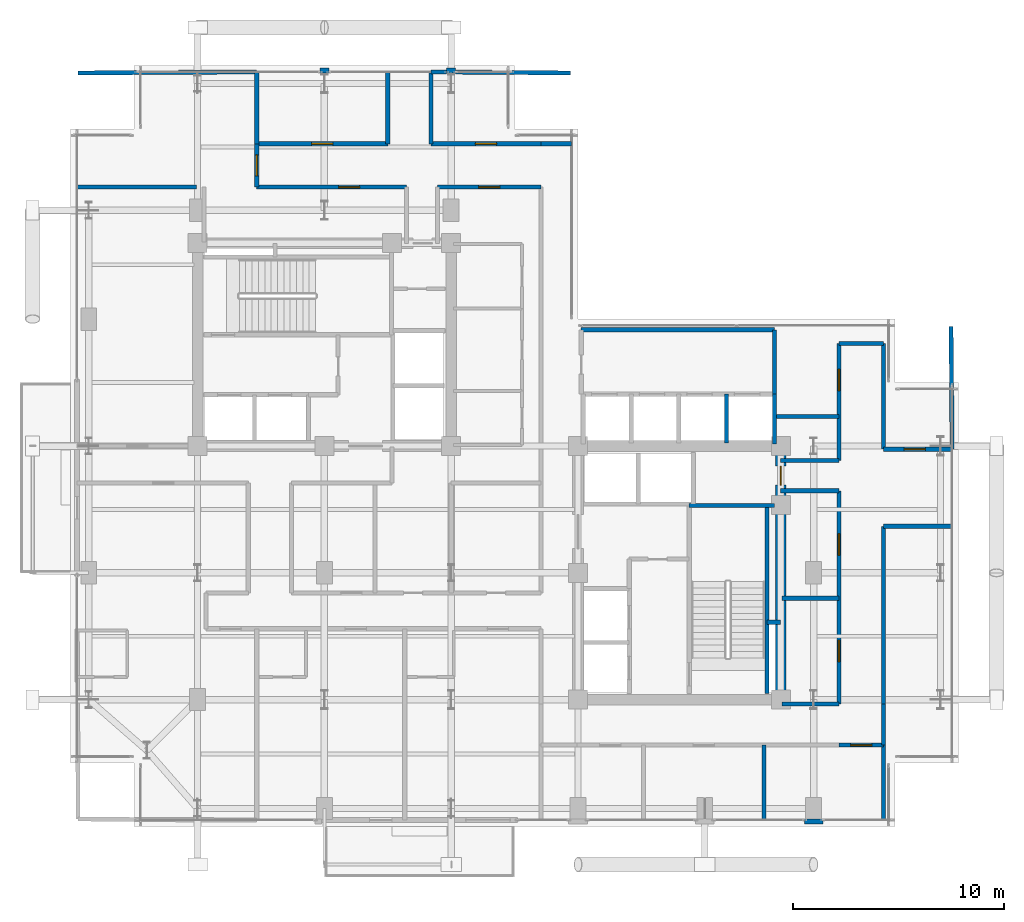
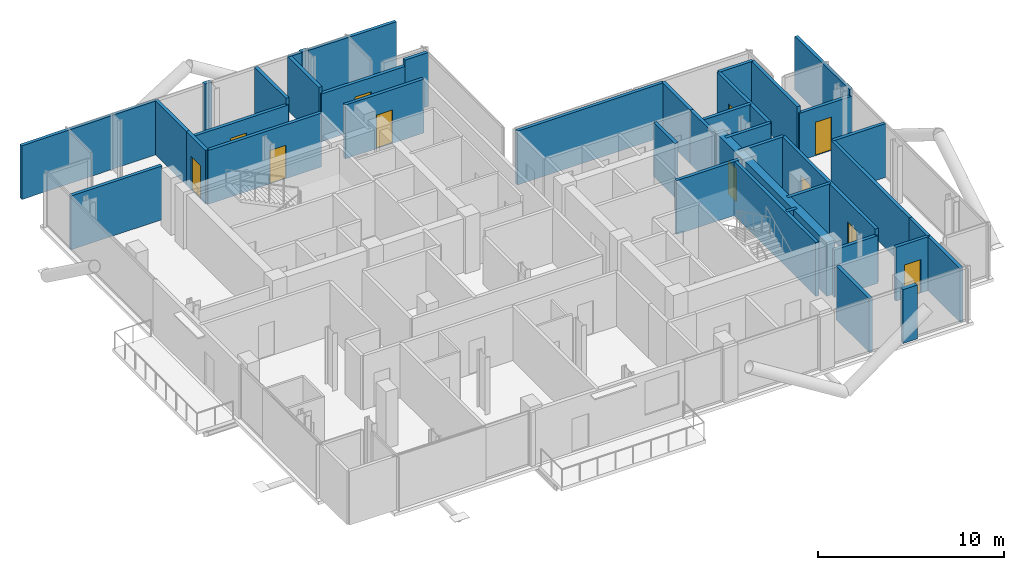
# One storey, part 19 of 22: 41 walls, 11 doors, 11 openings.
"""IFC4 building model written with IfcOpenShell, lengths in metres."""

import ifcopenshell
import ifcopenshell.guid

model = None  # the IFC model being written
_history = None  # IfcOwnerHistory: only IFC2X3 demands one
_inside = {}  # id of a spatial element -> (the spatial element, [elements in it])
_under = {}  # id of a project, library or spatial element -> (it, [spatial elements below it])
_declared = {}  # id of a project -> (the project, [libraries it declares])
_typed = {}  # id of a type object -> (the type object, [elements of that type])
_made_of = {}  # id of a material, layer set ... -> (it, [elements and type objects made of it])


def new_model(schema):
    """Start an empty IFC model of exactly this schema.

    Asked for "IFC4X3", IfcOpenShell would pick the latest addendum, in which some entities
    have other attributes; the version numbers below select the first issue.
    IFC2X3 requires an IfcOwnerHistory on every rooted entity: one is made here for all.
    """
    global model, _history
    if schema == "IFC4X3":
        model = ifcopenshell.file(schema_version=(4, 3, 0, 0))
    else:
        model = ifcopenshell.file(schema=schema)
    _inside.clear()
    _under.clear()
    _declared.clear()
    _typed.clear()
    _made_of.clear()
    _history = None
    if model.schema == "IFC2X3":
        org = make("IfcOrganization", Name="unknown")
        user = make(
            "IfcPersonAndOrganization",
            ThePerson=make("IfcPerson", FamilyName="unknown"),
            TheOrganization=org,
        )
        app = make(
            "IfcApplication",
            ApplicationDeveloper=org,
            Version="unknown",
            ApplicationFullName="unknown",
            ApplicationIdentifier="unknown",
        )
        _history = make(
            "IfcOwnerHistory",
            OwningUser=user,
            OwningApplication=app,
            ChangeAction="ADDED",
            CreationDate=0,
        )
    return model


def make(cls, **values):
    """One entity of the class cls with the attributes given. An attribute that is None is left unset."""
    return model.create_entity(
        cls, **{name: value for name, value in values.items() if value is not None}
    )


def rooted(cls, **values):
    """An entity with a GlobalId (a new one), such as an element, a storey or a relation."""
    return make(cls, GlobalId=ifcopenshell.guid.new(), OwnerHistory=_history, **values)


def si_unit(unit_type, name, prefix=None):
    """IfcSIUnit, for example si_unit("LENGTHUNIT", "METRE", prefix="MILLI")."""
    return make("IfcSIUnit", UnitType=unit_type, Prefix=prefix, Name=name)


def assignment(units):
    """IfcUnitAssignment: the units of a project."""
    return None if units is None else make("IfcUnitAssignment", Units=units)


def point(xyz):
    """IfcCartesianPoint."""
    return None if xyz is None else make("IfcCartesianPoint", Coordinates=xyz)


def direction(xyz):
    """IfcDirection."""
    return None if xyz is None else make("IfcDirection", DirectionRatios=xyz)


def frame(location, z_axis=None, x_axis=None):
    """IfcAxis2Placement3D, a coordinate frame: its origin and axes. An axis left out is left unset."""
    return make(
        "IfcAxis2Placement3D",
        Location=point(location),
        Axis=direction(z_axis),
        RefDirection=direction(x_axis),
    )


def frame_2d(location, x_axis=None):
    """IfcAxis2Placement2D, a coordinate frame in the plane: its origin and x axis."""
    return make(
        "IfcAxis2Placement2D", Location=point(location), RefDirection=direction(x_axis)
    )


def origin():
    """The frame at (0, 0, 0) with its axes left unset."""
    return frame((0.0, 0.0, 0.0))


def place(relative_to, where):
    """IfcLocalPlacement: puts the frame where relative to a parent placement (None: the world)."""
    return make(
        "IfcLocalPlacement", PlacementRelTo=relative_to, RelativePlacement=where
    )


def context(
    kind, dimensions, precision=None, world=None, true_north=None, identifier=None
):
    """IfcGeometricRepresentationContext, for example the 3D "Model" context."""
    return make(
        "IfcGeometricRepresentationContext",
        ContextIdentifier=identifier,
        ContextType=kind,
        CoordinateSpaceDimension=dimensions,
        Precision=precision,
        WorldCoordinateSystem=world,
        TrueNorth=true_north,
    )


def subcontext(parent, identifier, kind, view, scale=None):
    """IfcGeometricRepresentationSubContext, for example "Body" below "Model"."""
    return make(
        "IfcGeometricRepresentationSubContext",
        ContextIdentifier=identifier,
        ContextType=kind,
        ParentContext=parent,
        TargetScale=scale,
        TargetView=view,
    )


def project(units=None, contexts=None):
    """IfcProject with its units and contexts."""
    return rooted(
        "IfcProject",
        Name="project",
        RepresentationContexts=contexts,
        UnitsInContext=assignment(units),
    )


def spatial(cls, under=None, at=None, **own):
    """A site, building, storey or space (cls), placed at a placement, below another one or the project."""
    s = rooted(cls, ObjectPlacement=at, **own)
    if under is not None:
        _under.setdefault(under.id(), (under, []))[1].append(s)
    return s


def profile(cls, at=None, kind="AREA", **sizes):
    """A parametric profile (cls). Its sizes go by their IFC names, for example OverallWidth=200.0."""
    return make(cls, ProfileType=kind, Position=at, **sizes)


def rectangle(**sizes):
    """IfcRectangleProfileDef."""
    return profile("IfcRectangleProfileDef", **sizes)


def extrude(swept, where, along, depth):
    """IfcExtrudedAreaSolid: the profile swept, set in the frame where, extruded along a direction by depth."""
    return make(
        "IfcExtrudedAreaSolid",
        SweptArea=swept,
        Position=where,
        ExtrudedDirection=direction(along),
        Depth=depth,
    )


def shape(context_of_items, identifier, shape_type, items):
    """IfcShapeRepresentation: the items that make up one representation, for example the "Body"."""
    return make(
        "IfcShapeRepresentation",
        ContextOfItems=context_of_items,
        RepresentationIdentifier=identifier,
        RepresentationType=shape_type,
        Items=items,
    )


def material(Name=None, Category=None):
    """IfcMaterial."""
    return make("IfcMaterial", Name=Name, Category=Category)


def layer(
    of_material, thickness, ventilated=None, Name=None, Category=None, Priority=None
):
    """IfcMaterialLayer: one layer of a wall or slab, of a material (None: an air gap)."""
    return make(
        "IfcMaterialLayer",
        Material=of_material,
        LayerThickness=thickness,
        IsVentilated=ventilated,
        Name=Name,
        Category=Category,
        Priority=Priority,
    )


def layer_set(layers, Name=None):
    """IfcMaterialLayerSet."""
    return make("IfcMaterialLayerSet", MaterialLayers=layers, LayerSetName=Name)


def made_of(thing, what):
    """Note that an element or type object is made of a material, layer set ...; save() writes the relation."""
    if what is not None:
        _made_of.setdefault(what.id(), (what, []))[1].append(thing)
    return thing


def type_object(cls, material=None, **own):
    """A type object (cls), such as IfcWallType, which elements share."""
    return made_of(rooted(cls, **own), material)


def element(
    cls,
    number,
    at=None,
    inside=None,
    cuts=None,
    type_object=None,
    material=None,
    context=None,
    identifier="Body",
    shape_type=None,
    held_by="IfcProductDefinitionShape",
    body=None,
    shapes=None,
    **own,
):
    """One element of the class cls, such as IfcWall. Its Tag is "e" and its number.

    at: its placement. inside: the storey or other place that contains it. cuts: it is an
    opening in that element (IfcRelVoidsElement). A single representation is given by context,
    identifier, shape_type and body (its items); several are given by shapes. held_by: the class
    of the entity that holds the representations. save() writes the other relations.
    """
    e = rooted(cls, Tag="e%d" % number, ObjectPlacement=at, **own)
    if body is not None:
        shapes = [shape(context, identifier, shape_type, body)]
    if shapes is not None:
        e.Representation = make(held_by, Representations=shapes)
    if inside is not None:
        _inside.setdefault(inside.id(), (inside, []))[1].append(e)
    if cuts is not None:
        rooted(
            "IfcRelVoidsElement", RelatingBuildingElement=cuts, RelatedOpeningElement=e
        )
    if type_object is not None:
        _typed.setdefault(type_object.id(), (type_object, []))[1].append(e)
    return made_of(e, material)


def fill(opening, filler):
    """IfcRelFillsElement: the door or window that sits in an opening."""
    return rooted(
        "IfcRelFillsElement",
        RelatingOpeningElement=opening,
        RelatedBuildingElement=filler,
    )


def aggregate(whole, parts):
    """IfcRelAggregates: a whole, such as a stair, and the parts it consists of."""
    return rooted("IfcRelAggregates", RelatingObject=whole, RelatedObjects=parts)


def save(model, path):
    """Write the relations noted so far, then the file.

    IfcRelAggregates (storeys below a building ...), IfcRelContainedInSpatialStructure (elements
    in a storey), IfcRelDefinesByType, IfcRelAssociatesMaterial and IfcRelDeclares: one each for
    every whole, place, type object, material and project.
    """
    for whole, parts in _under.values():
        aggregate(whole, parts)
    for where, things in _inside.values():
        rooted(
            "IfcRelContainedInSpatialStructure",
            RelatedElements=things,
            RelatingStructure=where,
        )
    for kind, things in _typed.values():
        rooted("IfcRelDefinesByType", RelatedObjects=things, RelatingType=kind)
    for what, things in _made_of.values():
        rooted("IfcRelAssociatesMaterial", RelatedObjects=things, RelatingMaterial=what)
    for by, libraries in _declared.values():
        rooted("IfcRelDeclares", RelatingContext=by, RelatedDefinitions=libraries)
    model.write(path)


model = new_model("IFC4")

# Units and contexts
model_context = context("Model", 3, precision=1e-05, world=origin(), true_north=direction((0.0, 1.0)))
body_context = subcontext(model_context, "Body", "Model", "MODEL_VIEW")
ifc_project = project(units=[si_unit("LENGTHUNIT", "METRE"), si_unit("AREAUNIT", "SQUARE_METRE"), si_unit("VOLUMEUNIT", "CUBIC_METRE"), si_unit("PLANEANGLEUNIT", "RADIAN"), si_unit("MASSUNIT", "GRAM", prefix="KILO"), si_unit("THERMODYNAMICTEMPERATUREUNIT", "KELVIN"), si_unit("POWERUNIT", "WATT")], contexts=[model_context])

# Site, building, storey
site_placement = place(None, origin())
site = spatial("IfcSite", under=ifc_project, at=site_placement, CompositionType="ELEMENT")
building_placement = place(site_placement, origin())
building = spatial("IfcBuilding", under=site, at=building_placement, Name="Svarakhadi Broadcast Tower", CompositionType="ELEMENT")
storey_placement = place(building_placement, frame((0.0, 0.0, 172.949951171875)))
storey = spatial("IfcBuildingStorey", under=building, at=storey_placement, Name="L42", CompositionType="ELEMENT", Elevation=172.949951171875)

# Wall, openings, doors
ifc_material_1 = material(Name="Double-Stud Acoustic Studio Partition STC-62", Category="gypsum")
ifc_layer_1 = layer(ifc_material_1, 0.199951171875)
ifc_layer_set_1 = layer_set([ifc_layer_1], Name="Double-Stud Acoustic Studio Partition STC-62")
wall_type_1 = type_object("IfcWallType", Name="Wall_Acoust_200", PredefinedType="PARTITIONING", material=ifc_layer_set_1)
wall_1_placement = place(storey_placement, frame((36.35009765625, 5.800048828125, 0.0), z_axis=(0.0, 0.0, 1.0), x_axis=(0.0, 1.0, 0.0)))
wall_1 = element("IfcWall", 1, at=wall_1_placement, inside=storey, type_object=wall_type_1, Name="L42 Zone 2/3 Corridor Wall", PredefinedType="PARTITIONING", context=body_context, shape_type="SweptSolid", body=[
    extrude(rectangle(XDim=10.079833984375, YDim=0.199951171875, at=frame_2d((5.0400390625, 0.0))), origin(), (0.0, 0.0, 1.0), 3.5400390625),
])
opening_1_placement = place(wall_1_placement, frame((2.0, 0.0, 0.0)))
opening_1 = element("IfcOpeningElement", 2, at=opening_1_placement, cuts=wall_1, Name="Opening D-08", PredefinedType="OPENING", context=body_context, shape_type="SweptSolid", body=[
    extrude(rectangle(XDim=1.0, YDim=2.199951171875, at=frame_2d((0.5, 1.10009765625))), frame((0.0, 0.10986328125, 0.0), z_axis=(0.0, -1.0, 0.0), x_axis=(1.0, 0.0, 0.0)), (0.0, 0.0, 1.0), 0.219970703125),
])
opening_2_placement = place(wall_1_placement, frame((7.0400390625, 0.0, 0.0)))
opening_2 = element("IfcOpeningElement", 3, at=opening_2_placement, cuts=wall_1, Name="Opening D-09", PredefinedType="OPENING", context=body_context, shape_type="SweptSolid", body=[
    extrude(rectangle(XDim=1.0, YDim=2.199951171875, at=frame_2d((0.5, 1.10009765625))), frame((0.0, 0.10986328125, 0.0), z_axis=(0.0, -1.0, 0.0), x_axis=(1.0, 0.0, 0.0)), (0.0, 0.0, 1.0), 0.219970703125),
])
ifc_material_2 = material(Name="Solid-Core Teak Veneer Acoustic Timber Leaf", Category="wood")
door_type_1 = type_object("IfcDoorType", Name="Door_Suite_D08", OperationType="SINGLE_SWING_LEFT", PredefinedType="DOOR", material=ifc_material_2)
door_1_placement = place(opening_1_placement, origin())
door_1 = element("IfcDoor", 4, at=door_1_placement, inside=storey, type_object=door_type_1, Name="L42 Sommelier Wine Tasting Room Door", OperationType="SINGLE_SWING_LEFT", OverallHeight=2.199951171875, OverallWidth=1.0, PredefinedType="DOOR", context=body_context, shape_type="SweptSolid", body=[
    extrude(rectangle(XDim=1.0, YDim=2.199951171875, at=frame_2d((0.5, 1.10009765625))), frame((0.0, 0.02490234375, 0.0), z_axis=(0.0, -1.0, 0.0), x_axis=(1.0, 0.0, 0.0)), (0.0, 0.0, 1.0), 0.050048828125),
])
fill(opening_1, door_1)
door_type_2 = type_object("IfcDoorType", Name="Door_Suite_D09", OperationType="SINGLE_SWING_RIGHT", PredefinedType="DOOR", material=ifc_material_2)
door_2_placement = place(opening_2_placement, origin())
door_2 = element("IfcDoor", 5, at=door_2_placement, inside=storey, type_object=door_type_2, Name="L42 VIP Cigar Lounge Door", OperationType="SINGLE_SWING_RIGHT", OverallHeight=2.199951171875, OverallWidth=1.0, PredefinedType="DOOR", context=body_context, shape_type="SweptSolid", body=[
    extrude(rectangle(XDim=1.0, YDim=2.199951171875, at=frame_2d((0.5, 1.10009765625))), frame((0.0, 0.02490234375, 0.0), z_axis=(0.0, -1.0, 0.0), x_axis=(1.0, 0.0, 0.0)), (0.0, 0.0, 1.0), 0.050048828125),
])
fill(opening_2, door_2)

# Walls
for number, where, z_axis, x_axis, name in (
    (6, (36.35009765625, 15.8798828125, 0.0), (0.0, 0.0, 1.0), (-1.0, 0.0, 0.0), "L42 Zone 2/3 Corridor Wall"),
    (7, (33.580078125, 17.320068359375, 0.0), (0.0, 0.0, 1.0), (1.0, 0.0, 0.0), "L42 Zone 2/3 Corridor Wall"),
):
    element("IfcWall", number, at=place(storey_placement, frame(where, z_axis=z_axis, x_axis=x_axis)), inside=storey, type_object=wall_type_1, Name=name, PredefinedType="PARTITIONING", context=body_context, shape_type="SweptSolid", body=[
        extrude(rectangle(XDim=2.77001953125, YDim=0.199951171875, at=frame_2d((1.385009765625, 0.0))), origin(), (0.0, 0.0, 1.0), 3.5400390625),
    ])

# Wall, opening, door
wall_2_placement = place(storey_placement, frame((36.35009765625, 17.320068359375, 0.0), z_axis=(0.0, 0.0, 1.0), x_axis=(0.0, 1.0, 0.0)))
wall_2 = element("IfcWall", 8, at=wall_2_placement, inside=storey, type_object=wall_type_1, Name="L42 Zone 2/3 Corridor Wall", PredefinedType="PARTITIONING", context=body_context, shape_type="SweptSolid", body=[
    extrude(rectangle(XDim=5.530029296875, YDim=0.199951171875, at=frame_2d((2.76513671875, 0.0))), origin(), (0.0, 0.0, 1.0), 3.5400390625),
])
opening_3_placement = place(wall_2_placement, frame((3.304931640625, 0.0, 0.0)))
opening_3 = element("IfcOpeningElement", 9, at=opening_3_placement, cuts=wall_2, Name="Opening D-08", PredefinedType="OPENING", context=body_context, shape_type="SweptSolid", body=[
    extrude(rectangle(XDim=1.0, YDim=2.199951171875, at=frame_2d((0.5, 1.10009765625))), frame((0.0, 0.10986328125, 0.0), z_axis=(0.0, -1.0, 0.0), x_axis=(1.0, 0.0, 0.0)), (0.0, 0.0, 1.0), 0.219970703125),
])
door_3_placement = place(opening_3_placement, origin())
door_3 = element("IfcDoor", 10, at=door_3_placement, inside=storey, type_object=door_type_1, Name="L42 Harbour Sunset Reading Lounge Door", OperationType="SINGLE_SWING_LEFT", OverallHeight=2.199951171875, OverallWidth=1.0, PredefinedType="DOOR", context=body_context, shape_type="SweptSolid", body=[
    extrude(rectangle(XDim=1.0, YDim=2.199951171875, at=frame_2d((0.5, 1.10009765625))), frame((0.0, 0.02490234375, 0.0), z_axis=(0.0, -1.0, 0.0), x_axis=(1.0, 0.0, 0.0)), (0.0, 0.0, 1.0), 0.050048828125),
])
fill(opening_3, door_3)

# Walls
wall_3_placement = place(storey_placement, frame((36.35009765625, 22.85009765625, 0.0), z_axis=(0.0, 0.0, 1.0), x_axis=(1.0, 0.0, 0.0)))
element("IfcWall", 11, at=wall_3_placement, inside=storey, type_object=wall_type_1, Name="L42 Zone 2/3 Corridor Wall", PredefinedType="PARTITIONING", context=body_context, shape_type="SweptSolid", body=[
    extrude(rectangle(XDim=2.099853515625, YDim=0.199951171875, at=frame_2d((1.0498046875, 0.0))), origin(), (0.0, 0.0, 1.0), 3.5400390625),
])
wall_4_placement = place(storey_placement, frame((38.449951171875, 22.85009765625, 0.0), z_axis=(0.0, 0.0, 1.0), x_axis=(0.0, -1.0, 0.0)))
element("IfcWall", 12, at=wall_4_placement, inside=storey, type_object=wall_type_1, Name="L42 Zone 2/3 Corridor Wall", PredefinedType="PARTITIONING", context=body_context, shape_type="SweptSolid", body=[
    extrude(rectangle(XDim=5.0, YDim=0.199951171875, at=frame_2d((2.5, 0.0))), origin(), (0.0, 0.0, 1.0), 3.5400390625),
])

# Wall, opening, door
wall_5_placement = place(storey_placement, frame((38.449951171875, 17.85009765625, 0.0), z_axis=(0.0, 0.0, 1.0), x_axis=(1.0, 0.0, 0.0)))
wall_5 = element("IfcWall", 13, at=wall_5_placement, inside=storey, type_object=wall_type_1, Name="L42 Zone 2/3 Corridor Wall", PredefinedType="PARTITIONING", context=body_context, shape_type="SweptSolid", body=[
    extrude(rectangle(XDim=3.25, YDim=0.199951171875, at=frame_2d((1.625, 0.0))), origin(), (0.0, 0.0, 1.0), 3.132080078125),
])
opening_4_placement = place(wall_5_placement, frame((0.97998046875, 0.0, 0.0)))
opening_4 = element("IfcOpeningElement", 14, at=opening_4_placement, cuts=wall_5, Name="Opening D-08", PredefinedType="OPENING", context=body_context, shape_type="SweptSolid", body=[
    extrude(rectangle(XDim=1.0, YDim=2.199951171875, at=frame_2d((0.5, 1.10009765625))), frame((0.0, 0.10986328125, 0.0), z_axis=(0.0, -1.0, 0.0), x_axis=(1.0, 0.0, 0.0)), (0.0, 0.0, 1.0), 0.219970703125),
])
door_4_placement = place(opening_4_placement, origin())
door_4 = element("IfcDoor", 15, at=door_4_placement, inside=storey, type_object=door_type_1, Name="L42 Hotel Harbour Panorama Suite Door", OperationType="SINGLE_SWING_LEFT", OverallHeight=2.199951171875, OverallWidth=1.0, PredefinedType="DOOR", context=body_context, shape_type="SweptSolid", body=[
    extrude(rectangle(XDim=1.0, YDim=2.199951171875, at=frame_2d((0.5, 1.10009765625))), frame((0.0, 0.02490234375, 0.0), z_axis=(0.0, -1.0, 0.0), x_axis=(1.0, 0.0, 0.0)), (0.0, 0.0, 1.0), 0.050048828125),
])
fill(opening_4, door_4)

# Walls
wall_6_placement = place(storey_placement, frame((41.699951171875, 14.199951171875, 0.0), z_axis=(0.0, 0.0, 1.0), x_axis=(-1.0, 0.0, 0.0)))
element("IfcWall", 16, at=wall_6_placement, inside=storey, type_object=wall_type_1, Name="L42 Zone 2/3 Corridor Wall", PredefinedType="PARTITIONING", context=body_context, shape_type="SweptSolid", body=[
    extrude(rectangle(XDim=3.25, YDim=0.199951171875, at=frame_2d((1.625, 0.0))), origin(), (0.0, 0.0, 1.0), 3.5400390625),
])
wall_7_placement = place(storey_placement, frame((38.449951171875, 14.199951171875, 0.0), z_axis=(0.0, 0.0, 1.0), x_axis=(0.0, -1.0, 0.0)))
element("IfcWall", 17, at=wall_7_placement, inside=storey, type_object=wall_type_1, Name="L42 Zone 2/3 Corridor Wall", PredefinedType="PARTITIONING", context=body_context, shape_type="SweptSolid", body=[
    extrude(rectangle(XDim=8.39990234375, YDim=0.199951171875, at=frame_2d((4.199951171875, 0.0))), origin(), (0.0, 0.0, 1.0), 3.5400390625),
])
wall_8_placement = place(storey_placement, frame((38.449951171875, 5.800048828125, 0.0), z_axis=(0.0, 0.0, 1.0), x_axis=(0.0, -1.0, 0.0)))
element("IfcWall", 18, at=wall_8_placement, inside=storey, type_object=wall_type_1, Name="L42 Zone 2/3 Corridor Wall", PredefinedType="PARTITIONING", context=body_context, shape_type="SweptSolid", body=[
    extrude(rectangle(XDim=1.949951171875, YDim=0.199951171875, at=frame_2d((0.97509765625, 0.0))), origin(), (0.0, 0.0, 1.0), 3.5400390625),
])

# Wall, opening, door
wall_9_placement = place(storey_placement, frame((38.449951171875, 3.85009765625, 0.0), z_axis=(0.0, 0.0, 1.0), x_axis=(-1.0, 0.0, 0.0)))
wall_9 = element("IfcWall", 19, at=wall_9_placement, inside=storey, type_object=wall_type_1, Name="L42 Zone 2/3 Corridor Wall", PredefinedType="PARTITIONING", context=body_context, shape_type="SweptSolid", body=[
    extrude(rectangle(XDim=2.099853515625, YDim=0.199951171875, at=frame_2d((1.0498046875, 0.0))), origin(), (0.0, 0.0, 1.0), 3.5400390625),
])
opening_5_placement = place(wall_9_placement, frame((0.550048828125, 0.0, 0.0)))
opening_5 = element("IfcOpeningElement", 20, at=opening_5_placement, cuts=wall_9, Name="Opening D-08", PredefinedType="OPENING", context=body_context, shape_type="SweptSolid", body=[
    extrude(rectangle(XDim=1.0, YDim=2.199951171875, at=frame_2d((0.5, 1.10009765625))), frame((0.0, 0.10986328125, 0.0), z_axis=(0.0, -1.0, 0.0), x_axis=(1.0, 0.0, 0.0)), (0.0, 0.0, 1.0), 0.219970703125),
])
door_5_placement = place(opening_5_placement, origin())
door_5 = element("IfcDoor", 21, at=door_5_placement, inside=storey, type_object=door_type_1, Name="L42 Artisanal Espresso Bar Door", OperationType="SINGLE_SWING_LEFT", OverallHeight=2.199951171875, OverallWidth=1.0, PredefinedType="DOOR", context=body_context, shape_type="SweptSolid", body=[
    extrude(rectangle(XDim=1.0, YDim=2.199951171875, at=frame_2d((0.5, 1.10009765625))), frame((0.0, 0.02490234375, 0.0), z_axis=(0.0, -1.0, 0.0), x_axis=(1.0, 0.0, 0.0)), (0.0, 0.0, 1.0), 0.050048828125),
])
fill(opening_5, door_5)

wall_10_placement = place(storey_placement, frame((22.25, 30.25, 0.0), z_axis=(0.0, 0.0, 1.0), x_axis=(-1.0, 0.0, 0.0)))
wall_10 = element("IfcWall", 22, at=wall_10_placement, inside=storey, type_object=wall_type_1, Name="L42 Zone 2/3 Corridor Wall", PredefinedType="PARTITIONING", context=body_context, shape_type="SweptSolid", body=[
    extrude(rectangle(XDim=4.89990234375, YDim=0.199951171875, at=frame_2d((2.449951171875, 0.0))), origin(), (0.0, 0.0, 1.0), 3.5400390625),
])
opening_6_placement = place(wall_10_placement, frame((1.949951171875, 0.0, 0.0)))
opening_6 = element("IfcOpeningElement", 23, at=opening_6_placement, cuts=wall_10, Name="Opening D-08", PredefinedType="OPENING", context=body_context, shape_type="SweptSolid", body=[
    extrude(rectangle(XDim=1.0, YDim=2.199951171875, at=frame_2d((0.5, 1.10009765625))), frame((0.0, 0.10986328125, 0.0), z_axis=(0.0, -1.0, 0.0), x_axis=(1.0, 0.0, 0.0)), (0.0, 0.0, 1.0), 0.219970703125),
])
door_6_placement = place(opening_6_placement, origin())
door_6 = element("IfcDoor", 24, at=door_6_placement, inside=storey, type_object=door_type_1, Name="L42 Guest Quiet Study Door", OperationType="SINGLE_SWING_LEFT", OverallHeight=2.199951171875, OverallWidth=1.0, PredefinedType="DOOR", context=body_context, shape_type="SweptSolid", body=[
    extrude(rectangle(XDim=1.0, YDim=2.199951171875, at=frame_2d((0.5, 1.10009765625))), frame((0.0, 0.02490234375, 0.0), z_axis=(0.0, -1.0, 0.0), x_axis=(1.0, 0.0, 0.0)), (0.0, 0.0, 1.0), 0.050048828125),
])
fill(opening_6, door_6)

wall_11_placement = place(storey_placement, frame((15.8798828125, 30.25, 0.0), z_axis=(0.0, 0.0, 1.0), x_axis=(-1.0, 0.0, 0.0)))
wall_11 = element("IfcWall", 25, at=wall_11_placement, inside=storey, type_object=wall_type_1, Name="L42 Zone 2/3 Corridor Wall", PredefinedType="PARTITIONING", context=body_context, shape_type="SweptSolid", body=[
    extrude(rectangle(XDim=7.079833984375, YDim=0.199951171875, at=frame_2d((3.5400390625, 0.0))), origin(), (0.0, 0.0, 1.0), 3.5400390625),
])
opening_7_placement = place(wall_11_placement, frame((2.2099609375, 0.0, 0.0)))
opening_7 = element("IfcOpeningElement", 26, at=opening_7_placement, cuts=wall_11, Name="Opening D-08", PredefinedType="OPENING", context=body_context, shape_type="SweptSolid", body=[
    extrude(rectangle(XDim=1.0, YDim=2.199951171875, at=frame_2d((0.5, 1.10009765625))), frame((0.0, 0.10986328125, 0.0), z_axis=(0.0, -1.0, 0.0), x_axis=(1.0, 0.0, 0.0)), (0.0, 0.0, 1.0), 0.219970703125),
])
door_7_placement = place(opening_7_placement, origin())
door_7 = element("IfcDoor", 27, at=door_7_placement, inside=storey, type_object=door_type_1, Name="L42 Guest Library Study Door", OperationType="SINGLE_SWING_LEFT", OverallHeight=2.199951171875, OverallWidth=1.0, PredefinedType="DOOR", context=body_context, shape_type="SweptSolid", body=[
    extrude(rectangle(XDim=1.0, YDim=2.199951171875, at=frame_2d((0.5, 1.10009765625))), frame((0.0, 0.02490234375, 0.0), z_axis=(0.0, -1.0, 0.0), x_axis=(1.0, 0.0, 0.0)), (0.0, 0.0, 1.0), 0.050048828125),
])
fill(opening_7, door_7)

wall_12_placement = place(storey_placement, frame((8.800048828125, 30.25, 0.0), z_axis=(0.0, 0.0, 1.0), x_axis=(0.0, 1.0, 0.0)))
wall_12 = element("IfcWall", 28, at=wall_12_placement, inside=storey, type_object=wall_type_1, Name="L42 Zone 2/3 Corridor Wall", PredefinedType="PARTITIONING", context=body_context, shape_type="SweptSolid", body=[
    extrude(rectangle(XDim=2.050048828125, YDim=0.199951171875, at=frame_2d((1.02490234375, 0.0))), origin(), (0.0, 0.0, 1.0), 3.5400390625),
])
opening_8_placement = place(wall_12_placement, frame((0.52490234375, 0.0, 0.0)))
opening_8 = element("IfcOpeningElement", 29, at=opening_8_placement, cuts=wall_12, Name="Opening D-08", PredefinedType="OPENING", context=body_context, shape_type="SweptSolid", body=[
    extrude(rectangle(XDim=1.0, YDim=2.199951171875, at=frame_2d((0.5, 1.10009765625))), frame((0.0, 0.10986328125, 0.0), z_axis=(0.0, -1.0, 0.0), x_axis=(1.0, 0.0, 0.0)), (0.0, 0.0, 1.0), 0.219970703125),
])
door_8_placement = place(opening_8_placement, origin())
door_8 = element("IfcDoor", 30, at=door_8_placement, inside=storey, type_object=door_type_1, Name="L42 Skyline Club Reading and Horizon Lounge Door", OperationType="SINGLE_SWING_LEFT", OverallHeight=2.199951171875, OverallWidth=1.0, PredefinedType="DOOR", context=body_context, shape_type="SweptSolid", body=[
    extrude(rectangle(XDim=1.0, YDim=2.199951171875, at=frame_2d((0.5, 1.10009765625))), frame((0.0, 0.02490234375, 0.0), z_axis=(0.0, -1.0, 0.0), x_axis=(1.0, 0.0, 0.0)), (0.0, 0.0, 1.0), 0.050048828125),
])
fill(opening_8, door_8)

wall_13_placement = place(storey_placement, frame((8.800048828125, 32.300048828125, 0.0), z_axis=(0.0, 0.0, 1.0), x_axis=(1.0, 0.0, 0.0)))
wall_13 = element("IfcWall", 31, at=wall_13_placement, inside=storey, type_object=wall_type_1, Name="L42 Zone 2/3 Corridor Wall", PredefinedType="PARTITIONING", context=body_context, shape_type="SweptSolid", body=[
    extrude(rectangle(XDim=6.199951171875, YDim=0.199951171875, at=frame_2d((3.10009765625, 0.0))), origin(), (0.0, 0.0, 1.0), 3.132080078125),
])
opening_9_placement = place(wall_13_placement, frame((2.60009765625, 0.0, 0.0)))
opening_9 = element("IfcOpeningElement", 32, at=opening_9_placement, cuts=wall_13, Name="Opening D-09", PredefinedType="OPENING", context=body_context, shape_type="SweptSolid", body=[
    extrude(rectangle(XDim=1.0, YDim=2.199951171875, at=frame_2d((0.5, 1.10009765625))), frame((0.0, 0.10986328125, 0.0), z_axis=(0.0, -1.0, 0.0), x_axis=(1.0, 0.0, 0.0)), (0.0, 0.0, 1.0), 0.219970703125),
])
door_9_placement = place(opening_9_placement, origin())
door_9 = element("IfcDoor", 33, at=door_9_placement, inside=storey, type_object=door_type_2, Name="L42 Hotel Concierge Study Door", OperationType="SINGLE_SWING_RIGHT", OverallHeight=2.199951171875, OverallWidth=1.0, PredefinedType="DOOR", context=body_context, shape_type="SweptSolid", body=[
    extrude(rectangle(XDim=1.0, YDim=2.199951171875, at=frame_2d((0.5, 1.10009765625))), frame((0.0, 0.02490234375, 0.0), z_axis=(0.0, -1.0, 0.0), x_axis=(1.0, 0.0, 0.0)), (0.0, 0.0, 1.0), 0.050048828125),
])
fill(opening_9, door_9)

# Walls
for number, where, z_axis, x_axis, name in (
    (34, (15.0, 32.300048828125, 0.0), (0.0, 0.0, 1.0), (0.0, 1.0, 0.0), "L42 Zone 2/3 Corridor Wall"),
    (35, (17.050048828125, 35.699951171875, 0.0), (0.0, 0.0, 1.0), (0.0, -1.0, 0.0), "L42 Zone 2/3 Corridor Wall"),
):
    element("IfcWall", number, at=place(storey_placement, frame(where, z_axis=z_axis, x_axis=x_axis)), inside=storey, type_object=wall_type_1, Name=name, PredefinedType="PARTITIONING", context=body_context, shape_type="SweptSolid", body=[
        extrude(rectangle(XDim=3.39990234375, YDim=0.199951171875, at=frame_2d((1.699951171875, 0.0))), origin(), (0.0, 0.0, 1.0), 3.5400390625),
    ])

# Wall, opening, door
wall_14_placement = place(storey_placement, frame((17.050048828125, 32.300048828125, 0.0), z_axis=(0.0, 0.0, 1.0), x_axis=(1.0, 0.0, 0.0)))
wall_14 = element("IfcWall", 36, at=wall_14_placement, inside=storey, type_object=wall_type_1, Name="L42 Zone 2/3 Corridor Wall", PredefinedType="PARTITIONING", context=body_context, shape_type="SweptSolid", body=[
    extrude(rectangle(XDim=5.199951171875, YDim=0.199951171875, at=frame_2d((2.60009765625, 0.0))), origin(), (0.0, 0.0, 1.0), 3.132080078125),
])
opening_10_placement = place(wall_14_placement, frame((2.10009765625, 0.0, 0.0)))
opening_10 = element("IfcOpeningElement", 37, at=opening_10_placement, cuts=wall_14, Name="Opening D-08", PredefinedType="OPENING", context=body_context, shape_type="SweptSolid", body=[
    extrude(rectangle(XDim=1.0, YDim=2.199951171875, at=frame_2d((0.5, 1.10009765625))), frame((0.0, 0.10986328125, 0.0), z_axis=(0.0, -1.0, 0.0), x_axis=(1.0, 0.0, 0.0)), (0.0, 0.0, 1.0), 0.219970703125),
])
door_10_placement = place(opening_10_placement, origin())
door_10 = element("IfcDoor", 38, at=door_10_placement, inside=storey, type_object=door_type_1, Name="L42 Hotel Sommelier Tasting Salon Door", OperationType="SINGLE_SWING_LEFT", OverallHeight=2.199951171875, OverallWidth=1.0, PredefinedType="DOOR", context=body_context, shape_type="SweptSolid", body=[
    extrude(rectangle(XDim=1.0, YDim=2.199951171875, at=frame_2d((0.5, 1.10009765625))), frame((0.0, 0.02490234375, 0.0), z_axis=(0.0, -1.0, 0.0), x_axis=(1.0, 0.0, 0.0)), (0.0, 0.0, 1.0), 0.050048828125),
])
fill(opening_10, door_10)

# Walls
wall_15_placement = place(storey_placement, frame((22.25, 32.300048828125, 0.0), z_axis=(0.0, 0.0, 1.0), x_axis=(1.0, 0.0, 0.0)))
element("IfcWall", 39, at=wall_15_placement, inside=storey, type_object=wall_type_1, Name="L42 Zone 2/3 Corridor Wall", PredefinedType="PARTITIONING", context=body_context, shape_type="SweptSolid", body=[
    extrude(rectangle(XDim=1.449951171875, YDim=0.199951171875, at=frame_2d((0.72509765625, 0.0))), origin(), (0.0, 0.0, 1.0), 3.5400390625),
])
wall_16_placement = place(storey_placement, frame((0.300048828125, 30.25, 0.0), z_axis=(0.0, 0.0, 1.0), x_axis=(1.0, 0.0, 0.0)))
element("IfcWall", 40, at=wall_16_placement, inside=storey, type_object=wall_type_1, Name="L42 Sea-View Panorama Club Salon Wall", PredefinedType="PARTITIONING", context=body_context, shape_type="SweptSolid", body=[
    extrude(rectangle(XDim=5.64990234375, YDim=0.199951171875, at=frame_2d((2.824951171875, 0.0))), origin(), (0.0, 0.0, 1.0), 3.5400390625),
])
for number, where, z_axis, x_axis, name in (
    (41, (32.800048828125, 0.300048828125, 0.0), (0.0, 0.0, 1.0), (0.0, 1.0, 0.0), "L42 Private Dining Salon Wall"),
    (42, (38.449951171875, 0.300048828125, 0.0), (0.0, 0.0, 1.0), (0.0, 1.0, 0.0), "L42 Artisanal Espresso Bar Wall"),
):
    element("IfcWall", number, at=place(storey_placement, frame(where, z_axis=z_axis, x_axis=x_axis)), inside=storey, type_object=wall_type_1, Name=name, PredefinedType="PARTITIONING", context=body_context, shape_type="SweptSolid", body=[
        extrude(rectangle(XDim=3.550048828125, YDim=0.199951171875, at=frame_2d((1.77490234375, 0.0))), origin(), (0.0, 0.0, 1.0), 3.5400390625),
    ])
wall_17_placement = place(storey_placement, frame((33.64990234375, 5.800048828125, 0.0), z_axis=(0.0, 0.0, 1.0), x_axis=(1.0, 0.0, 0.0)))
element("IfcWall", 43, at=wall_17_placement, inside=storey, type_object=wall_type_1, Name="L42 Sommelier Wine Tasting Room Wall", PredefinedType="PARTITIONING", context=body_context, shape_type="SweptSolid", body=[
    extrude(rectangle(XDim=2.7001953125, YDim=0.199951171875, at=frame_2d((1.35009765625, 0.0))), origin(), (0.0, 0.0, 1.0), 3.132080078125),
])
wall_18_placement = place(storey_placement, frame((33.64990234375, 10.800048828125, 0.0), z_axis=(0.0, 0.0, 1.0), x_axis=(1.0, 0.0, 0.0)))
element("IfcWall", 44, at=wall_18_placement, inside=storey, type_object=wall_type_1, Name="L42 Sommelier Wine Tasting Room Wall", PredefinedType="PARTITIONING", context=body_context, shape_type="SweptSolid", body=[
    extrude(rectangle(XDim=2.7001953125, YDim=0.199951171875, at=frame_2d((1.35009765625, 0.0))), origin(), (0.0, 0.0, 1.0), 3.5400390625),
])
wall_19_placement = place(storey_placement, frame((41.699951171875, 17.85009765625, 0.0), z_axis=(0.0, 0.0, 1.0), x_axis=(-0.008629077606, 0.999962768817, 0.0)))
element("IfcWall", 45, at=wall_19_placement, inside=storey, type_object=wall_type_1, Name="L42 Hotel Harbour Panorama Suite Wall", PredefinedType="PARTITIONING", context=body_context, shape_type="SweptSolid", body=[
    extrude(rectangle(XDim=5.800048828125, YDim=0.199951171875, at=frame_2d((2.89990234375, 0.0))), origin(), (0.0, 0.0, 1.0), 3.5400390625),
])
wall_20_placement = place(storey_placement, frame((33.35009765625, 19.39990234375, 0.0), z_axis=(0.0, 0.0, 1.0), x_axis=(1.0, 0.0, 0.0)))
element("IfcWall", 46, at=wall_20_placement, inside=storey, type_object=wall_type_1, Name="L42 Harbour Sunset Reading Lounge Wall", PredefinedType="PARTITIONING", context=body_context, shape_type="SweptSolid", body=[
    extrude(rectangle(XDim=3.0, YDim=0.199951171875, at=frame_2d((1.5, 0.0))), origin(), (0.0, 0.0, 1.0), 3.5400390625),
])
wall_21_placement = place(storey_placement, frame((0.35009765625, 35.64990234375, 0.0), z_axis=(0.0, 0.0, 1.0), x_axis=(0.99998245966, 0.005922868574, 0.0)))
element("IfcWall", 47, at=wall_21_placement, inside=storey, type_object=wall_type_1, Name="L42 Skyline Club Reading and Horizon Lounge Wall", PredefinedType="PARTITIONING", context=body_context, shape_type="SweptSolid", body=[
    extrude(rectangle(XDim=8.4501953125, YDim=0.199951171875, at=frame_2d((4.22509765625, 0.0))), origin(), (0.0, 0.0, 1.0), 3.5400390625),
])
wall_22_placement = place(storey_placement, frame((8.800048828125, 32.300048828125, 0.0), z_axis=(0.0, 0.0, 1.0), x_axis=(0.0, 1.0, 0.0)))
element("IfcWall", 48, at=wall_22_placement, inside=storey, type_object=wall_type_1, Name="L42 Hotel Concierge Study Wall", PredefinedType="PARTITIONING", context=body_context, shape_type="SweptSolid", body=[
    extrude(rectangle(XDim=3.39990234375, YDim=0.199951171875, at=frame_2d((1.699951171875, 0.0))), origin(), (0.0, 0.0, 1.0), 3.5400390625),
])
wall_23_placement = place(storey_placement, frame((17.050048828125, 35.699951171875, 0.0), z_axis=(0.0, 0.0, 1.0), x_axis=(0.99997080734, -0.007640972946, 0.0)))
element("IfcWall", 49, at=wall_23_placement, inside=storey, type_object=wall_type_1, Name="L42 Hotel Sommelier Tasting Salon Wall", PredefinedType="PARTITIONING", context=body_context, shape_type="SweptSolid", body=[
    extrude(rectangle(XDim=0.73486328125, YDim=0.199951171875, at=frame_2d((0.367431640625, 0.0))), origin(), (0.0, 0.0, 1.0), 3.5400390625),
])
wall_24_placement = place(storey_placement, frame((18.215087890625, 35.691162109375, 0.0), z_axis=(0.0, 0.0, 1.0), x_axis=(0.999971183893, -0.007591533627, 0.0)))
element("IfcWall", 50, at=wall_24_placement, inside=storey, type_object=wall_type_1, Name="L42 Hotel Sommelier Tasting Salon Wall", PredefinedType="PARTITIONING", context=body_context, shape_type="SweptSolid", body=[
    extrude(rectangle(XDim=5.43505859375, YDim=0.199951171875, at=frame_2d((2.717529296875, 0.0))), origin(), (0.0, 0.0, 1.0), 3.5400390625),
])
ifc_material_3 = material(Name="Concrete C40/50 (IS 456 M50)", Category="concrete")
ifc_layer_2 = layer(ifc_material_3, 0.239990234375)
ifc_layer_set_2 = layer_set([ifc_layer_2], Name="Concrete C40/50 (IS 456 M50)")
wall_type_2 = type_object("IfcWallType", Name="Wall_Ext_240", PredefinedType="SOLIDWALL", material=ifc_layer_set_2)
for number, where, z_axis, x_axis, name in (
    (51, (11.784912109375, 35.760009765625, 0.0), (0.0, 0.0, 1.0), (1.0, 0.0, 0.0), "L42 Perimeter Bronze Spandrel Closure Wall 01"),
    (52, (17.784912109375, 35.760009765625, 0.0), (0.0, 0.0, 1.0), (1.0, 0.0, 0.0), "L42 Perimeter Bronze Spandrel Closure Wall 02"),
):
    element("IfcWall", number, at=place(storey_placement, frame(where, z_axis=z_axis, x_axis=x_axis)), inside=storey, type_object=wall_type_2, Name=name, PredefinedType="SOLIDWALL", context=body_context, shape_type="SweptSolid", body=[
        extrude(rectangle(XDim=0.43017578125, YDim=0.239990234375, at=frame_2d((0.215087890625, 0.0))), origin(), (0.0, 0.0, 1.0), 3.5400390625),
    ])
wall_25_placement = place(storey_placement, frame((35.590087890625, 0.239990234375, 0.0), z_axis=(0.0, 0.0, 1.0), x_axis=(-1.0, 0.0, 0.0)))
element("IfcWall", 53, at=wall_25_placement, inside=storey, type_object=wall_type_2, Name="L42 Perimeter Bronze Spandrel Closure Wall 03", PredefinedType="SOLIDWALL", context=body_context, shape_type="SweptSolid", body=[
    extrude(rectangle(XDim=0.880126953125, YDim=0.239990234375, at=frame_2d((0.43994140625, 0.0))), origin(), (0.0, 0.0, 1.0), 3.5400390625),
])
ifc_layer_3 = layer(ifc_material_3, 0.199951171875)
ifc_layer_set_3 = layer_set([ifc_layer_3], Name="Concrete C40/50 (IS 456 M50)")
wall_type_3 = type_object("IfcWallType", Name="Wall_Fire_200", PredefinedType="SOLIDWALL", material=ifc_layer_set_3)
wall_26_placement = place(storey_placement, frame((32.93994140625, 9.659912109375, 0.0), z_axis=(0.0, 0.0, 1.0), x_axis=(1.0, 0.0, 0.0)))
element("IfcWall", 54, at=wall_26_placement, inside=storey, type_object=wall_type_3, Name="L42 HV Busduct Riser Shaft North Wall", PredefinedType="SOLIDWALL", context=body_context, shape_type="SweptSolid", body=[
    extrude(rectangle(XDim=0.64013671875, YDim=0.199951171875, at=frame_2d((0.320068359375, 0.0))), origin(), (0.0, 0.0, 1.0), 3.5400390625),
])
ifc_material_4 = material(Name="Concrete C50/60 (IS 456 M60)", Category="concrete")
ifc_layer_4 = layer(ifc_material_4, 0.199951171875)
ifc_layer_set_4 = layer_set([ifc_layer_4], Name="Concrete C50/60 (IS 456 M60)")
wall_type_4 = type_object("IfcWallType", Name="Wall_Shear_200", PredefinedType="SHEAR", material=ifc_layer_set_4)
wall_27_placement = place(storey_placement, frame((32.93994140625, 6.300048828125, 0.0), z_axis=(0.0, 0.0, 1.0), x_axis=(0.0, 1.0, 0.0)))
element("IfcWall", 55, at=wall_27_placement, inside=storey, type_object=wall_type_4, Name="L42 Stair ST-02 East RC Shaft Wall", PredefinedType="SHEAR", context=body_context, shape_type="SweptSolid", body=[
    extrude(rectangle(XDim=8.8798828125, YDim=0.199951171875, at=frame_2d((4.43994140625, 0.0))), origin(), (0.0, 0.0, 1.0), 3.5400390625),
])
wall_28_placement = place(storey_placement, frame((29.260009765625, 15.179931640625, 0.0), z_axis=(0.0, 0.0, 1.0), x_axis=(1.0, 0.0, 0.0)))
element("IfcWall", 56, at=wall_28_placement, inside=storey, type_object=wall_type_4, Name="L42 Stair ST-02 North RC Shaft Wall", PredefinedType="SHEAR", context=body_context, shape_type="SweptSolid", body=[
    extrude(rectangle(XDim=4.0400390625, YDim=0.199951171875, at=frame_2d((2.02001953125, 0.0))), origin(), (0.0, 0.0, 1.0), 3.5400390625),
])
wall_29_placement = place(storey_placement, frame((33.300048828125, 18.10009765625, 0.0), z_axis=(0.0, 0.0, 1.0), x_axis=(0.0, 1.0, 0.0)))
element("IfcWall", 57, at=wall_29_placement, inside=storey, type_object=wall_type_4, Name="L42 Bank B East Shaft Wall", PredefinedType="SHEAR", context=body_context, shape_type="SweptSolid", body=[
    extrude(rectangle(XDim=2.349853515625, YDim=0.199951171875, at=frame_2d((1.1748046875, 0.0))), origin(), (0.0, 0.0, 1.0), 3.5400390625),
])
wall_30_placement = place(storey_placement, frame((31.02001953125, 18.14990234375, 0.0), z_axis=(0.0, 0.0, 1.0), x_axis=(0.0, 1.0, 0.0)))
element("IfcWall", 58, at=wall_30_placement, inside=storey, type_object=wall_type_4, Name="L42 Bank B Divider", PredefinedType="SHEAR", context=body_context, shape_type="SweptSolid", body=[
    extrude(rectangle(XDim=2.300048828125, YDim=0.199951171875, at=frame_2d((1.14990234375, 0.0))), origin(), (0.0, 0.0, 1.0), 3.5400390625),
])
wall_31_placement = place(storey_placement, frame((24.14990234375, 23.5, 0.0), z_axis=(0.0, 0.0, 1.0), x_axis=(1.0, 0.0, 0.0)))
element("IfcWall", 59, at=wall_31_placement, inside=storey, type_object=wall_type_4, Name="L42 Bank B Lift Hall North Wall", PredefinedType="SHEAR", context=body_context, shape_type="SweptSolid", body=[
    extrude(rectangle(XDim=9.150146484375, YDim=0.199951171875, at=frame_2d((4.5751953125, 0.0))), origin(), (0.0, 0.0, 1.0), 3.5400390625),
])
wall_32_placement = place(storey_placement, frame((33.300048828125, 20.449951171875, 0.0), z_axis=(0.0, 0.0, 1.0), x_axis=(0.0, 1.0, 0.0)))
element("IfcWall", 60, at=wall_32_placement, inside=storey, type_object=wall_type_4, Name="L42 Bank B Lift Hall East Wall", PredefinedType="SHEAR", context=body_context, shape_type="SweptSolid", body=[
    extrude(rectangle(XDim=3.050048828125, YDim=0.199951171875, at=frame_2d((1.52490234375, 0.0))), origin(), (0.0, 0.0, 1.0), 3.5400390625),
])

# Wall, opening, door
ifc_layer_5 = layer(ifc_material_4, 0.5)
ifc_layer_set_5 = layer_set([ifc_layer_5], Name="Concrete C50/60 (IS 456 M60)")
wall_type_5 = type_object("IfcWallType", Name="Wall_Shear_500", PredefinedType="SHEAR", material=ifc_layer_set_5)
wall_33_placement = place(storey_placement, frame((33.60009765625, 6.0, 0.0), z_axis=(0.0, 0.0, 1.0), x_axis=(0.0, 1.0, 0.0)))
wall_33 = element("IfcWall", 61, at=wall_33_placement, inside=storey, type_object=wall_type_5, Name="L42 East Core East Shear Wall", PredefinedType="SHEAR", context=body_context, shape_type="SweptSolid", body=[
    extrude(rectangle(XDim=12.0, YDim=0.5, at=frame_2d((6.0, 0.0))), origin(), (0.0, 0.0, 1.0), 3.5400390625),
])
opening_11_placement = place(wall_33_placement, frame((10.14990234375, 0.0, 0.0)))
opening_11 = element("IfcOpeningElement", 62, at=opening_11_placement, cuts=wall_33, Name="Opening D-04", PredefinedType="OPENING", context=body_context, shape_type="SweptSolid", body=[
    extrude(rectangle(XDim=0.89990234375, YDim=2.14990234375, at=frame_2d((0.449951171875, 1.074951171875))), frame((0.0, 0.260009765625, 0.0), z_axis=(0.0, -1.0, 0.0), x_axis=(1.0, 0.0, 0.0)), (0.0, 0.0, 1.0), 0.52001953125),
])
ifc_material_5 = material(Name="Galvanised Powder-Coated Fire-Rated Steel Leaf", Category="steel")
door_type_3 = type_object("IfcDoorType", Name="Door_Fire_D04", OperationType="SINGLE_SWING_RIGHT", PredefinedType="DOOR", material=ifc_material_5)
door_11_placement = place(opening_11_placement, origin())
door_11 = element("IfcDoor", 63, at=door_11_placement, inside=storey, type_object=door_type_3, Name="L42 East Core Service Store Door", OperationType="SINGLE_SWING_RIGHT", OverallHeight=2.14990234375, OverallWidth=0.89990234375, PredefinedType="DOOR", context=body_context, shape_type="SweptSolid", body=[
    extrude(rectangle(XDim=0.89990234375, YDim=2.14990234375, at=frame_2d((0.449951171875, 1.074951171875))), frame((0.0, 0.02490234375, 0.0), z_axis=(0.0, -1.0, 0.0), x_axis=(1.0, 0.0, 0.0)), (0.0, 0.0, 1.0), 0.050048828125),
])
fill(opening_11, door_11)

save(model, "model.ifc")
